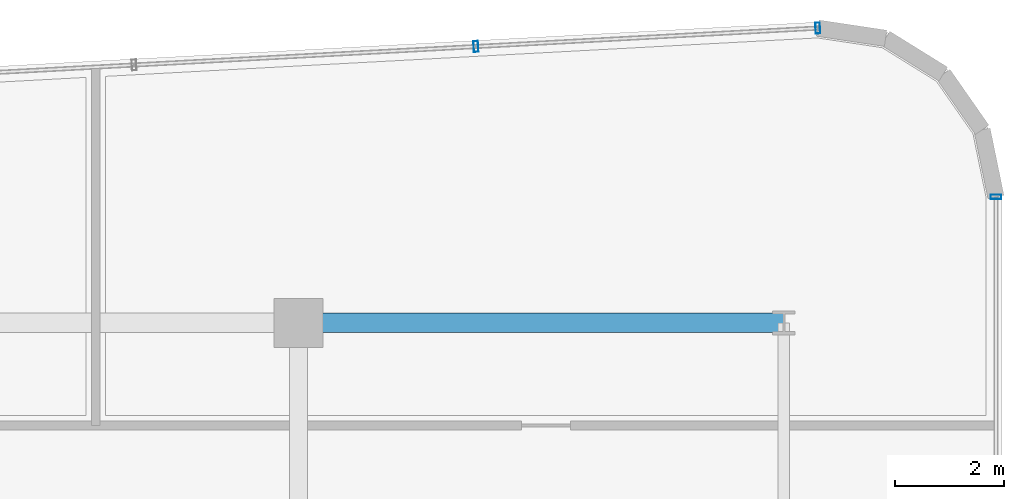
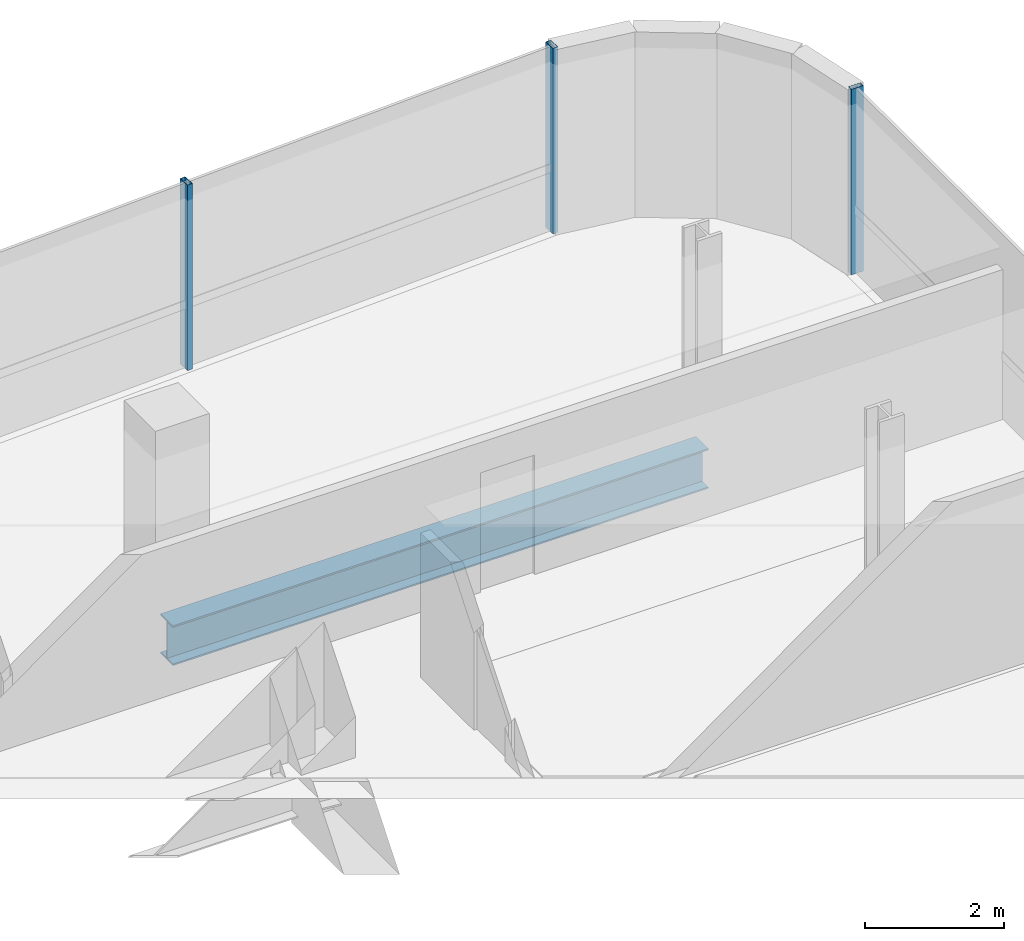
# One storey, part 16 of 22: 3 members, 1 beam, 2 elements without a shape of their own.
"""IFC4 building model written with IfcOpenShell, lengths in metres."""

from ifc_helpers import new_model, si_unit, direction, frame, origin, origin_2d, place, context, subcontext, project, spatial, hollow_rectangle, i_section, extrude, source, transform, mapped, material, material_profile, profile_set, type_object, element, aggregate, save


model = new_model("IFC4")

# Units and contexts
model_context = context("Model", 3, precision=1e-05, world=origin(), true_north=direction((0.0, 1.0)))
body_context = subcontext(model_context, "Body", "Model", "MODEL_VIEW")
ifc_project = project(units=[si_unit("LENGTHUNIT", "METRE"), si_unit("AREAUNIT", "SQUARE_METRE"), si_unit("VOLUMEUNIT", "CUBIC_METRE"), si_unit("PLANEANGLEUNIT", "RADIAN"), si_unit("MASSUNIT", "GRAM", prefix="KILO")], contexts=[model_context])

# Site, building, storey
site_placement = place(None, origin())
site = spatial("IfcSite", under=ifc_project, at=site_placement, CompositionType="ELEMENT")
building_placement = place(site_placement, origin())
building = spatial("IfcBuilding", under=site, at=building_placement, Name="Valdorenza Pilgrim Sanctuary Tower", CompositionType="ELEMENT")
storey_placement = place(building_placement, frame((0.0, 0.0, 233.5)))
storey = spatial("IfcBuildingStorey", under=building, at=storey_placement, Name="L60", CompositionType="ELEMENT", Elevation=233.5)

# Beam
ifc_material_1 = material(Name="Steel ASTM A992 Grade 50", Category="steel")
ifc_material_profile_1 = material_profile(ifc_material_1, i_section(OverallWidth=0.35595703125, OverallDepth=0.700927734375, WebThickness=0.016845703125, FlangeThickness=0.02734375, at=origin_2d()), Name="W27X161")
ifc_profile_set_1 = profile_set([ifc_material_profile_1], Name="Steel ASTM A992 Grade 50")
beam_type = type_object("IfcBeamType", Name="STR-BM-GRD-W27", PredefinedType="BEAM", material=ifc_profile_set_1)
shared_shape_1 = source(origin(), body_context, "Body", "SweptSolid", [
    extrude(i_section(OverallWidth=0.35595703125, OverallDepth=0.700927734375, WebThickness=0.016845703125, FlangeThickness=0.02734375, at=origin_2d()), origin(), (0.0, 0.0, 1.0), 8.89990234375),
])
beam_placement = place(storey_placement, frame((-12.39990234375, 14.800048828125, -0.590576171875), z_axis=(1.0, 0.0, 0.0), x_axis=(0.0, 1.0, 0.0)))
element("IfcBeam", 1, at=beam_placement, inside=storey, type_object=beam_type, Name="L60 Floor Girder UWA-KG2", PredefinedType="BEAM", context=body_context, shape_type="MappedRepresentation", body=[
    mapped(shared_shape_1, transform((0.0, 0.0, 0.0), x_axis=(1.0, 0.0, 0.0), y_axis=(0.0, 1.0, 0.0), z_axis=(0.0, 0.0, 1.0), scale=1.0)),
])

# Curtain wall, members
ifc_material_2 = material(Name="Curtain-wall IGU glazing", Category="glass")
curtain_wall_type = type_object("IfcCurtainWallType", Name="CW-SYS-02", PredefinedType="NOTDEFINED", material=ifc_material_2)
curtain_wall_1_placement = place(storey_placement, origin())
curtain_wall_1 = element("IfcCurtainWall", 2, at=curtain_wall_1_placement, inside=storey, type_object=curtain_wall_type, Name="L60 Curtain Wall CW-L60-1-6", PredefinedType="NOTDEFINED")
ifc_material_3 = material(Name="Anodised aluminium AW-6060", Category="aluminium")
ifc_material_profile_2 = material_profile(ifc_material_3, hollow_rectangle(XDim=0.0849609375, YDim=0.199951171875, WallThickness=0.0048828125, at=origin_2d()), Name="ALU-M 200x85x5")
ifc_profile_set_2 = profile_set([ifc_material_profile_2], Name="Anodised aluminium AW-6060")
member_type = type_object("IfcMemberType", Name="CW-MUL-02", PredefinedType="MULLION", material=ifc_profile_set_2)
shared_shape_2 = source(origin(), body_context, "Body", "SweptSolid", [
    extrude(hollow_rectangle(XDim=0.0849609375, YDim=0.199951171875, WallThickness=0.0048828125, at=origin_2d()), origin(), (0.0, 0.0, 1.0), 3.260009765625),
])
member_1_placement = place(storey_placement, frame((-9.147216796875, 19.869140625, 0.0), z_axis=(0.0, 0.0, 1.0), x_axis=(0.998547034311, 0.053887106711, 0.0)))
member_1 = element("IfcMember", 3, at=member_1_placement, type_object=member_type, Name="CW-L60-1-6 Mullion 4", PredefinedType="MULLION", context=body_context, shape_type="MappedRepresentation", body=[
    mapped(shared_shape_2, transform((0.0, 0.0, 0.0), x_axis=(1.0, 0.0, 0.0), y_axis=(0.0, 1.0, 0.0), z_axis=(0.0, 0.0, 1.0), scale=1.0)),
])
member_2_placement = place(storey_placement, frame((-2.877685546875, 20.20751953125, 0.0), z_axis=(0.0, 0.0, 1.0), x_axis=(0.998547034311, 0.053887106711, 0.0)))
member_2 = element("IfcMember", 4, at=member_2_placement, type_object=member_type, Name="CW-L60-1-6 Mullion 5", PredefinedType="MULLION", context=body_context, shape_type="MappedRepresentation", body=[
    mapped(shared_shape_2, transform((0.0, 0.0, 0.0), x_axis=(1.0, 0.0, 0.0), y_axis=(0.0, 1.0, 0.0), z_axis=(0.0, 0.0, 1.0), scale=1.0)),
])
aggregate(curtain_wall_1, [member_1, member_2])

# Curtain wall, member
curtain_wall_2_placement = place(storey_placement, origin())
curtain_wall_2 = element("IfcCurtainWall", 5, at=curtain_wall_2_placement, inside=storey, type_object=curtain_wall_type, Name="L60 Curtain Wall CW-L60-1-11", PredefinedType="NOTDEFINED")
member_3_placement = place(storey_placement, frame((0.389892578125, 17.111328125, 0.0), z_axis=(0.0, 0.0, 1.0), x_axis=(0.0, -1.0, 0.0)))
member_3 = element("IfcMember", 6, at=member_3_placement, type_object=member_type, Name="CW-L60-1-11 Mullion 1", PredefinedType="MULLION", context=body_context, shape_type="MappedRepresentation", body=[
    mapped(shared_shape_2, transform((0.0, 0.0, 0.0), x_axis=(1.0, 0.0, 0.0), y_axis=(0.0, 1.0, 0.0), z_axis=(0.0, 0.0, 1.0), scale=1.0)),
])
aggregate(curtain_wall_2, [member_3])

save(model, "model.ifc")
